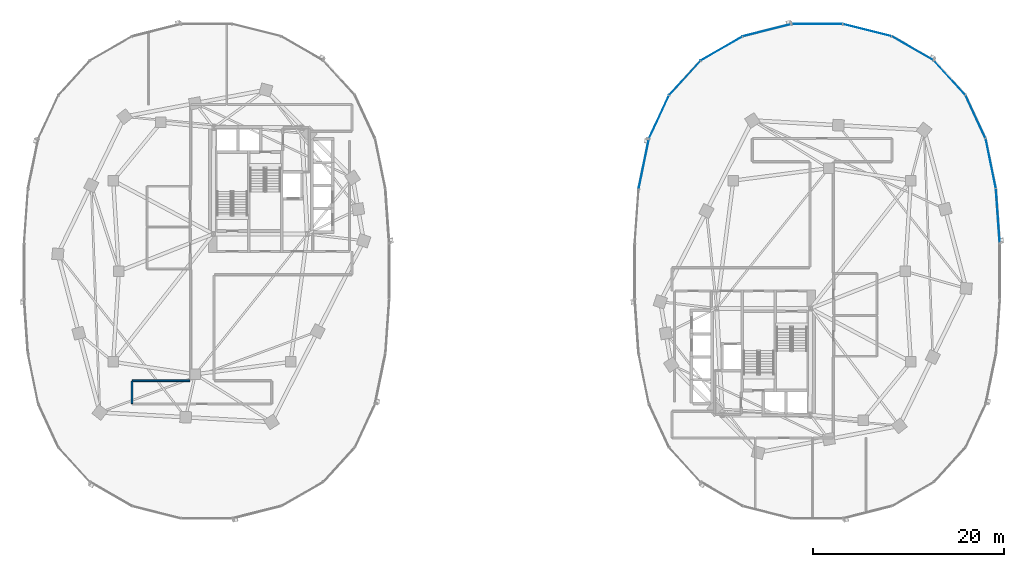
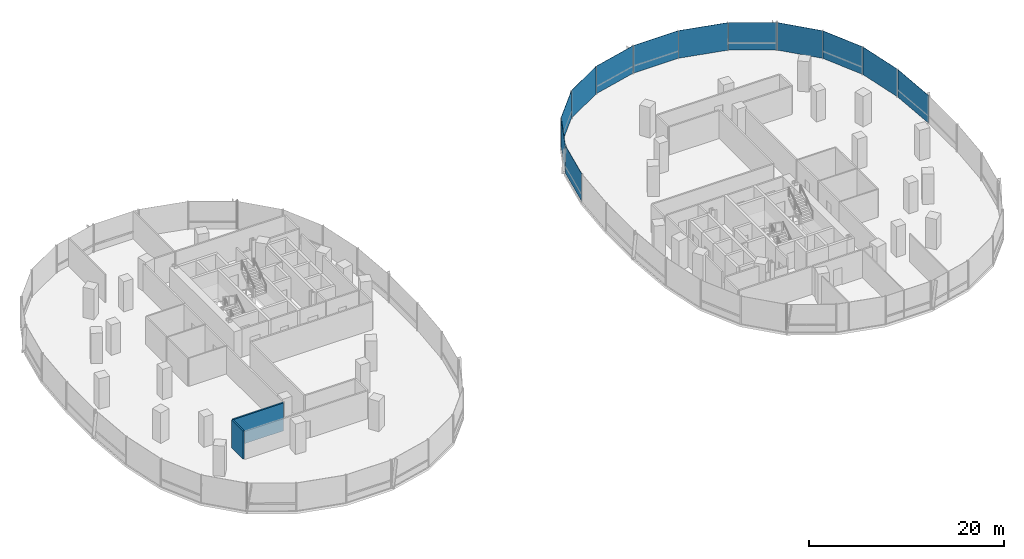
# One storey, part 10 of 21: 12 plates, 2 walls, 2 elements without a shape of their own.
"""IFC4 building model written with IfcOpenShell, lengths in metres."""

from ifc_helpers import new_model, si_unit, direction, frame, frame_2d, origin, origin_2d, place, context, subcontext, project, spatial, rectangle, extrude, material, layer, layer_set, type_object, element, aggregate, save


model = new_model("IFC4")

# Units and contexts
model_context = context("Model", 3, precision=1e-05, world=origin(), true_north=direction((0.0, 1.0)))
body_context = subcontext(model_context, "Body", "Model", "MODEL_VIEW")
ifc_project = project(units=[si_unit("LENGTHUNIT", "METRE"), si_unit("AREAUNIT", "SQUARE_METRE"), si_unit("VOLUMEUNIT", "CUBIC_METRE"), si_unit("PLANEANGLEUNIT", "RADIAN"), si_unit("MASSUNIT", "GRAM", prefix="KILO"), si_unit("THERMODYNAMICTEMPERATUREUNIT", "KELVIN"), si_unit("POWERUNIT", "WATT")], contexts=[model_context])

# Site, building, storey
site_placement = place(None, origin())
site = spatial("IfcSite", under=ifc_project, at=site_placement, CompositionType="ELEMENT")
building_placement = place(site_placement, origin())
building = spatial("IfcBuilding", under=site, at=building_placement, Name="Cundina Bronze Exchange", CompositionType="ELEMENT")
storey_placement = place(building_placement, frame((0.0, 0.0, 69.60009765625)))
storey = spatial("IfcBuildingStorey", under=building, at=storey_placement, Name="L17", CompositionType="ELEMENT", Elevation=69.60009765625)

# Curtain wall, plates
ifc_material_1 = material(Name="Anodised Bronze Aluminium 6063-T6", Category="aluminium")
curtain_wall_type = type_object("IfcCurtainWallType", Name="CWS-TRD-LOW", PredefinedType="NOTDEFINED", material=ifc_material_1)
curtain_wall_1_placement = place(storey_placement, origin())
curtain_wall_1 = element("IfcCurtainWall", 1, at=curtain_wall_1_placement, inside=storey, type_object=curtain_wall_type, Name="L17 CW-02 Curtain Wall Run CWR-L17-E1", PredefinedType="NOTDEFINED")
ifc_material_2 = material(Name="Heat-Strengthened Solar-Control Bronze Safety Glass 28mm", Category="glass")
ifc_layer_1 = layer(ifc_material_2, 0.028076171875, Name="Heat-Strengthened Solar-Control Bronze Safety Glass 28mm", Category="glass")
ifc_layer_set_1 = layer_set([ifc_layer_1], Name="Heat-Strengthened Solar-Control Bronze Safety Glass 28mm")
plate_type_1 = type_object("IfcPlateType", Name="PLT-GLZ-VIS28", PredefinedType="CURTAIN_PANEL", material=ifc_layer_set_1)
plate_1_placement = place(storey_placement, frame((50.9267578125, 5.783935546875, 0.02001953125), z_axis=(0.0, 0.0, 1.0), x_axis=(-0.070278787473, 0.997527389113, 0.0)))
plate_1 = element("IfcPlate", 2, at=plate_1_placement, type_object=plate_type_1, Name="CW-02 Glazed Panel 1", PredefinedType="CURTAIN_PANEL", context=body_context, shape_type="SweptSolid", body=[
    extrude(rectangle(XDim=5.644287109375, YDim=0.028076171875, at=origin_2d()), origin(), (0.0, 0.0, 1.0), 3.4599609375),
])
plate_2_placement = place(storey_placement, frame((50.18408203125, 11.269775390625, 0.02001953125), z_axis=(0.0, 0.0, 1.0), x_axis=(-0.201419845156, 0.979505000486, 0.0)))
plate_2 = element("IfcPlate", 3, at=plate_2_placement, type_object=plate_type_1, Name="CW-02 Glazed Panel 2", PredefinedType="CURTAIN_PANEL", context=body_context, shape_type="SweptSolid", body=[
    extrude(rectangle(XDim=5.306640625, YDim=0.028076171875, at=origin_2d()), origin(), (0.0, 0.0, 1.0), 3.4599609375),
])
plate_3_placement = place(storey_placement, frame((45.8740234375, 20.267333984375, 0.02001953125), z_axis=(0.0, 0.0, 1.0), x_axis=(-0.674276610219, 0.73847887777, 0.0)))
plate_3 = element("IfcPlate", 4, at=plate_3_placement, type_object=plate_type_1, Name="CW-02 Glazed Panel 4", PredefinedType="CURTAIN_PANEL", context=body_context, shape_type="SweptSolid", body=[
    extrude(rectangle(XDim=4.86328125, YDim=0.028076171875, at=origin_2d()), origin(), (0.0, 0.0, 1.0), 3.4599609375),
])
plate_4_placement = place(storey_placement, frame((42.019287109375, 23.34423828125, 0.02001953125), z_axis=(0.0, 0.0, 1.0), x_axis=(-0.867105478933, 0.498124571171, 0.0)))
plate_4 = element("IfcPlate", 5, at=plate_4_placement, type_object=plate_type_1, Name="CW-02 Glazed Panel 5", PredefinedType="CURTAIN_PANEL", context=body_context, shape_type="SweptSolid", body=[
    extrude(rectangle(XDim=5.021240234375, YDim=0.028076171875, at=origin_2d()), origin(), (0.0, 0.0, 1.0), 3.4599609375),
])
plate_5_placement = place(storey_placement, frame((37.255615234375, 25.256591796875, 0.02001953125), z_axis=(0.0, 0.0, 1.0), x_axis=(-0.969488149345, 0.245138182011, 0.0)))
plate_5 = element("IfcPlate", 6, at=plate_5_placement, type_object=plate_type_1, Name="CW-02 Glazed Panel 6", PredefinedType="CURTAIN_PANEL", context=body_context, shape_type="SweptSolid", body=[
    extrude(rectangle(XDim=5.2333984375, YDim=0.028076171875, at=origin_2d()), origin(), (0.0, 0.0, 1.0), 3.4599609375),
])
plate_6_placement = place(storey_placement, frame((32.0, 25.905029296875, 0.02001953125), z_axis=(0.0, 0.0, 1.0), x_axis=(-1.0, 0.0, 0.0)))
plate_6 = element("IfcPlate", 7, at=plate_6_placement, type_object=plate_type_1, Name="CW-02 Glazed Panel 7", PredefinedType="CURTAIN_PANEL", context=body_context, shape_type="SweptSolid", body=[
    extrude(rectangle(XDim=5.323974609375, YDim=0.028076171875, at=origin_2d()), origin(), (0.0, 0.0, 1.0), 3.4599609375),
])

curtain_wall_2_placement = place(storey_placement, origin())
curtain_wall_2 = element("IfcCurtainWall", 8, at=curtain_wall_2_placement, inside=storey, type_object=curtain_wall_type, Name="L17 CW-02 Curtain Wall Run CWR-L17-E2", PredefinedType="NOTDEFINED")
plate_7_placement = place(storey_placement, frame((26.744384765625, 25.256591796875, 0.02001953125), z_axis=(0.0, 0.0, 1.0), x_axis=(-0.969488149345, -0.245138182011, 0.0)))
plate_7 = element("IfcPlate", 9, at=plate_7_placement, type_object=plate_type_1, Name="CW-02 Glazed Panel 1", PredefinedType="CURTAIN_PANEL", context=body_context, shape_type="SweptSolid", body=[
    extrude(rectangle(XDim=5.2333984375, YDim=0.028076171875, at=origin_2d()), origin(), (0.0, 0.0, 1.0), 3.4599609375),
])
plate_8_placement = place(storey_placement, frame((18.1259765625, 20.267333984375, 0.02001953125), z_axis=(0.0, 0.0, 1.0), x_axis=(-0.674276610219, -0.73847887777, 0.0)))
plate_8 = element("IfcPlate", 10, at=plate_8_placement, type_object=plate_type_1, Name="CW-02 Glazed Panel 3", PredefinedType="CURTAIN_PANEL", context=body_context, shape_type="SweptSolid", body=[
    extrude(rectangle(XDim=4.86328125, YDim=0.028076171875, at=origin_2d()), origin(), (0.0, 0.0, 1.0), 3.4599609375),
])
plate_9_placement = place(storey_placement, frame((15.413818359375, 16.177734375, 0.02001953125), z_axis=(0.0, 0.0, 1.0), x_axis=(-0.42084583328, -0.907132175932, 0.0)))
plate_9 = element("IfcPlate", 11, at=plate_9_placement, type_object=plate_type_1, Name="CW-02 Glazed Panel 4", PredefinedType="CURTAIN_PANEL", context=body_context, shape_type="SweptSolid", body=[
    extrude(rectangle(XDim=4.966552734375, YDim=0.028076171875, at=origin_2d()), origin(), (0.0, 0.0, 1.0), 3.4599609375),
])
plate_10_placement = place(storey_placement, frame((13.81591796875, 11.269775390625, 0.02001953125), z_axis=(0.0, 0.0, 1.0), x_axis=(-0.201419845156, -0.979505000486, 0.0)))
plate_10 = element("IfcPlate", 12, at=plate_10_placement, type_object=plate_type_1, Name="CW-02 Glazed Panel 5", PredefinedType="CURTAIN_PANEL", context=body_context, shape_type="SweptSolid", body=[
    extrude(rectangle(XDim=5.306640625, YDim=0.028076171875, at=origin_2d()), origin(), (0.0, 0.0, 1.0), 3.4599609375),
])

# Plate
ifc_material_3 = material(Name="Dark Bronze Spandrel Glass Panel 32mm", Category="glass")
ifc_layer_2 = layer(ifc_material_3, 0.031982421875, Name="Dark Bronze Spandrel Glass Panel 32mm", Category="glass")
ifc_layer_set_2 = layer_set([ifc_layer_2], Name="Dark Bronze Spandrel Glass Panel 32mm")
plate_type_2 = type_object("IfcPlateType", Name="PLT-SPN-BRZ32", PredefinedType="CURTAIN_PANEL", material=ifc_layer_set_2)
plate_11_placement = place(storey_placement, frame((48.586181640625, 16.177734375, 0.02001953125), z_axis=(0.0, 0.0, 1.0), x_axis=(-0.42084583328, 0.907132175932, 0.0)))
plate_11 = element("IfcPlate", 13, at=plate_11_placement, type_object=plate_type_2, Name="CW-02 Glazed Panel 3", PredefinedType="CURTAIN_PANEL", context=body_context, shape_type="SweptSolid", body=[
    extrude(rectangle(XDim=4.966552734375, YDim=0.031982421875, at=origin_2d()), origin(), (0.0, 0.0, 1.0), 3.4599609375),
])

aggregate(curtain_wall_1, [plate_1, plate_2, plate_11, plate_3, plate_4, plate_5, plate_6])

plate_12_placement = place(storey_placement, frame((21.980712890625, 23.34423828125, 0.02001953125), z_axis=(0.0, 0.0, 1.0), x_axis=(-0.867105478933, -0.498124571171, 0.0)))
plate_12 = element("IfcPlate", 14, at=plate_12_placement, type_object=plate_type_2, Name="CW-02 Glazed Panel 2", PredefinedType="CURTAIN_PANEL", context=body_context, shape_type="SweptSolid", body=[
    extrude(rectangle(XDim=5.021240234375, YDim=0.031982421875, at=origin_2d()), origin(), (0.0, 0.0, 1.0), 3.4599609375),
])

aggregate(curtain_wall_2, [plate_7, plate_12, plate_8, plate_9, plate_10])

# Walls
ifc_material_4 = material(Name="Gypsum Fireboard Partition EI120")
ifc_layer_3 = layer(ifc_material_4, 0.179931640625, Name="Gypsum Fireboard Partition EI120")
ifc_layer_set_3 = layer_set([ifc_layer_3], Name="Gypsum Fireboard Partition EI120")
wall_type = type_object("IfcWallType", Name="WL-COR-180", PredefinedType="PARTITIONING", material=ifc_layer_set_3)
wall_1_placement = place(storey_placement, frame((-33.75, -11.47998046875, 0.0), z_axis=(0.0, 0.0, 1.0), x_axis=(-1.0, 0.0, 0.0)))
element("IfcWall", 15, at=wall_1_placement, inside=storey, type_object=wall_type, Name="L17 Interior Partition 023", PredefinedType="PARTITIONING", context=body_context, shape_type="SweptSolid", body=[
    extrude(rectangle(XDim=6.028564453125, YDim=0.179931640625, at=frame_2d((3.01416015625, 0.0))), origin(), (0.0, 0.0, 1.0), 3.5),
])
wall_2_placement = place(storey_placement, frame((-39.820068359375, -11.521484375, 0.0), z_axis=(0.0, 0.0, 1.0), x_axis=(0.0, -1.0, 0.0)))
element("IfcWall", 16, at=wall_2_placement, inside=storey, type_object=wall_type, Name="L17 Interior Partition 029", PredefinedType="PARTITIONING", context=body_context, shape_type="SweptSolid", body=[
    extrude(rectangle(XDim=2.35693359375, YDim=0.179931640625, at=frame_2d((1.178466796875, 0.0))), origin(), (0.0, 0.0, 1.0), 3.5),
])

save(model, "model.ifc")
